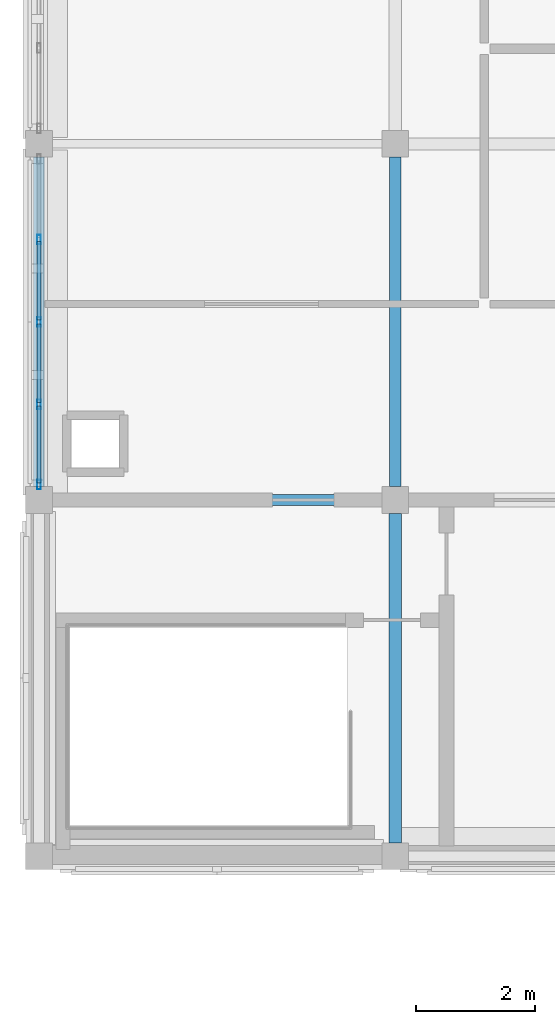
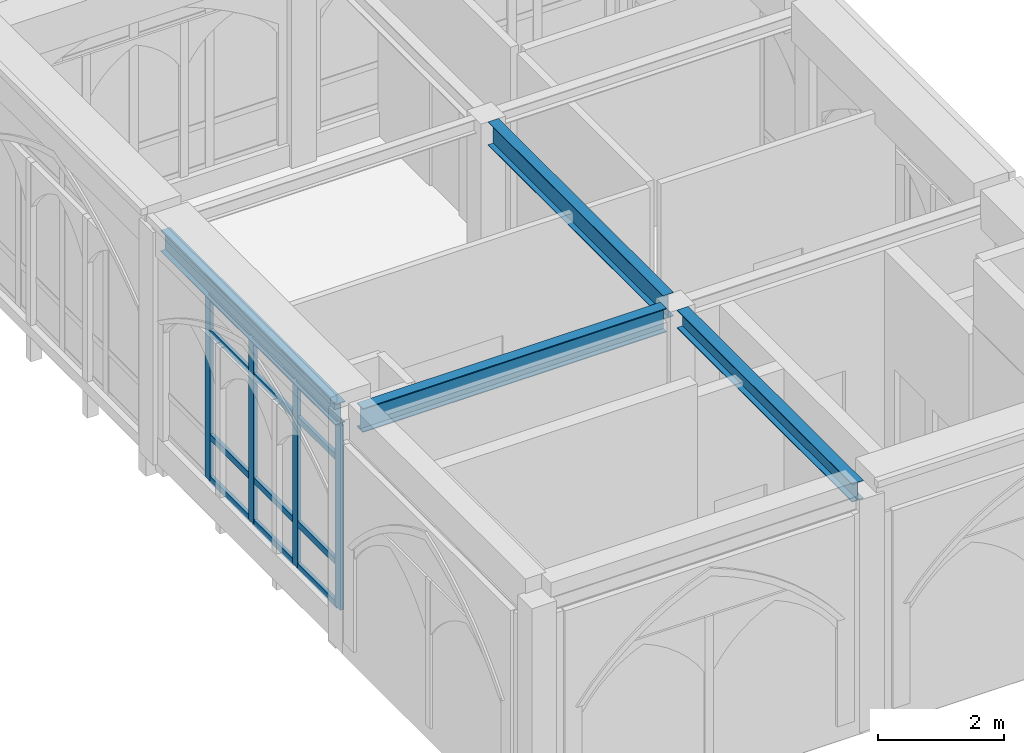
# One storey, part 6 of 59: 16 members, 4 beams, 1 element without a shape of its own.
"""IFC4 building model written with IfcOpenShell, lengths in metres."""

from ifc_helpers import new_model, si_unit, direction, frame, origin, origin_2d, place, context, subcontext, project, spatial, hollow_rectangle, i_section, extrude, material, layer, layer_set, material_profile, profile_set, type_object, element, aggregate, save


model = new_model("IFC4")

# Units and contexts
model_context = context("Model", 3, precision=1e-05, world=origin(), true_north=direction((0.0, 1.0)))
body_context = subcontext(model_context, "Body", "Model", "MODEL_VIEW")
ifc_project = project(units=[si_unit("LENGTHUNIT", "METRE"), si_unit("AREAUNIT", "SQUARE_METRE"), si_unit("VOLUMEUNIT", "CUBIC_METRE"), si_unit("PLANEANGLEUNIT", "RADIAN"), si_unit("MASSUNIT", "GRAM", prefix="KILO")], contexts=[model_context])

# Site, building, storey
site_placement = place(None, origin())
site = spatial("IfcSite", under=ifc_project, at=site_placement, CompositionType="ELEMENT")
building_placement = place(site_placement, origin())
building = spatial("IfcBuilding", under=site, at=building_placement, Name="Cumevento Cable Car Station", CompositionType="ELEMENT")
storey_placement = place(building_placement, frame((0.0, 0.0, 18.0)))
storey = spatial("IfcBuildingStorey", under=building, at=storey_placement, Name="L05", CompositionType="ELEMENT", Elevation=18.0)

# Curtain wall, members
ifc_material_1 = material(Name="Anodised Bronze Aluminium AW-6063-T6", Category="aluminium")
ifc_layer = layer(ifc_material_1, 0.201904296875)
ifc_layer_set = layer_set([ifc_layer], Name="Anodised Bronze Aluminium AW-6063-T6")
curtain_wall_type = type_object("IfcCurtainWallType", Name="Lancet Curtain Wall CW-08 1330", PredefinedType="NOTDEFINED", material=ifc_layer_set)
curtain_wall_placement = place(storey_placement, origin())
curtain_wall = element("IfcCurtainWall", 1, at=curtain_wall_placement, inside=storey, type_object=curtain_wall_type, Name="Lancet Curtain Wall CW-08 L05 #199", PredefinedType="NOTDEFINED")
ifc_material_2 = material(Name="Anodised Bronze Aluminium AW-6063-T6", Category="aluminium")
ifc_material_profile_1 = material_profile(ifc_material_2, hollow_rectangle(XDim=0.06494140625, YDim=0.159912109375, WallThickness=0.00390625, at=origin_2d()), Name="ALUM65x160x4")
ifc_profile_set_1 = profile_set([ifc_material_profile_1], Name="Anodised Bronze Aluminium AW-6063-T6")
member_type_1 = type_object("IfcMemberType", Name="Curtain Mullion CWM-01 ALUM65x160x4", PredefinedType="MULLION", material=ifc_profile_set_1)
member_1_placement = place(storey_placement, frame((10.0, 33.257568359375, 0.52001953125), z_axis=(0.0, 0.0, 1.0), x_axis=(-1.0, 0.0, 0.0)))
member_1 = element("IfcMember", 2, at=member_1_placement, type_object=member_type_1, Name="CW-08 mullion 1", PredefinedType="MULLION", context=body_context, shape_type="SweptSolid", body=[
    extrude(hollow_rectangle(XDim=0.06494140625, YDim=0.159912109375, WallThickness=0.00390625, at=origin_2d()), origin(), (0.0, 0.0, 1.0), 3.572998046875),
])
member_2_placement = place(storey_placement, frame((10.0, 34.612548828125, 0.52001953125), z_axis=(0.0, 0.0, 1.0), x_axis=(-1.0, 0.0, 0.0)))
member_2 = element("IfcMember", 3, at=member_2_placement, type_object=member_type_1, Name="CW-08 mullion 2", PredefinedType="MULLION", context=body_context, shape_type="SweptSolid", body=[
    extrude(hollow_rectangle(XDim=0.06494140625, YDim=0.159912109375, WallThickness=0.00390625, at=origin_2d()), origin(), (0.0, 0.0, 1.0), 3.572998046875),
])
member_3_placement = place(storey_placement, frame((10.0, 36.0, 0.52001953125), z_axis=(0.0, 0.0, 1.0), x_axis=(-1.0, 0.0, 0.0)))
member_3 = element("IfcMember", 4, at=member_3_placement, type_object=member_type_1, Name="CW-08 mullion 3", PredefinedType="MULLION", context=body_context, shape_type="SweptSolid", body=[
    extrude(hollow_rectangle(XDim=0.06494140625, YDim=0.159912109375, WallThickness=0.00390625, at=origin_2d()), origin(), (0.0, 0.0, 1.0), 3.572998046875),
])
member_4_placement = place(storey_placement, frame((10.0, 37.387451171875, 0.52001953125), z_axis=(0.0, 0.0, 1.0), x_axis=(-1.0, 0.0, 0.0)))
member_4 = element("IfcMember", 5, at=member_4_placement, type_object=member_type_1, Name="CW-08 mullion 4", PredefinedType="MULLION", context=body_context, shape_type="SweptSolid", body=[
    extrude(hollow_rectangle(XDim=0.06494140625, YDim=0.159912109375, WallThickness=0.00390625, at=origin_2d()), origin(), (0.0, 0.0, 1.0), 3.572998046875),
])
ifc_material_3 = material(Name="Anodised Bronze Aluminium AW-6063-T6", Category="aluminium")
ifc_material_profile_2 = material_profile(ifc_material_3, hollow_rectangle(XDim=0.06494140625, YDim=0.1201171875, WallThickness=0.00390625, at=origin_2d()), Name="ALUT65x120x4")
ifc_profile_set_2 = profile_set([ifc_material_profile_2], Name="Anodised Bronze Aluminium AW-6063-T6")
member_type_2 = type_object("IfcMemberType", Name="Curtain Transom CWT-01 ALUT65x120x4", PredefinedType="USERDEFINED", material=ifc_profile_set_2)
member_5_placement = place(storey_placement, frame((10.0, 33.2900390625, 0.552490234375), z_axis=(0.0, 1.0, 0.0), x_axis=(-1.0, 0.0, 0.0)))
member_5 = element("IfcMember", 6, at=member_5_placement, type_object=member_type_2, Name="CW-08 transom 1.1", ObjectType="TRANSOM", PredefinedType="USERDEFINED", context=body_context, shape_type="SweptSolid", body=[
    extrude(hollow_rectangle(XDim=0.06494140625, YDim=0.1201171875, WallThickness=0.00390625, at=origin_2d()), origin(), (0.0, 0.0, 1.0), 1.2900390625),
])
member_6_placement = place(storey_placement, frame((10.0, 33.2900390625, 1.3701171875), z_axis=(0.0, 1.0, 0.0), x_axis=(-1.0, 0.0, 0.0)))
member_6 = element("IfcMember", 7, at=member_6_placement, type_object=member_type_2, Name="CW-08 transom 1.2", ObjectType="TRANSOM", PredefinedType="USERDEFINED", context=body_context, shape_type="SweptSolid", body=[
    extrude(hollow_rectangle(XDim=0.06494140625, YDim=0.1201171875, WallThickness=0.00390625, at=origin_2d()), origin(), (0.0, 0.0, 1.0), 1.2900390625),
])
member_7_placement = place(storey_placement, frame((10.0, 33.2900390625, 3.39306640625), z_axis=(0.0, 1.0, 0.0), x_axis=(-1.0, 0.0, 0.0)))
member_7 = element("IfcMember", 8, at=member_7_placement, type_object=member_type_2, Name="CW-08 transom 1.3", ObjectType="TRANSOM", PredefinedType="USERDEFINED", context=body_context, shape_type="SweptSolid", body=[
    extrude(hollow_rectangle(XDim=0.06494140625, YDim=0.1201171875, WallThickness=0.00390625, at=origin_2d()), origin(), (0.0, 0.0, 1.0), 1.2900390625),
])
member_8_placement = place(storey_placement, frame((10.0, 33.2900390625, 4.060546875), z_axis=(0.0, 1.0, 0.0), x_axis=(-1.0, 0.0, 0.0)))
member_8 = element("IfcMember", 9, at=member_8_placement, type_object=member_type_2, Name="CW-08 transom 1.4", ObjectType="TRANSOM", PredefinedType="USERDEFINED", context=body_context, shape_type="SweptSolid", body=[
    extrude(hollow_rectangle(XDim=0.06494140625, YDim=0.1201171875, WallThickness=0.00390625, at=origin_2d()), origin(), (0.0, 0.0, 1.0), 1.2900390625),
])
member_9_placement = place(storey_placement, frame((10.0, 34.64501953125, 0.552490234375), z_axis=(0.0, 1.0, 0.0), x_axis=(-1.0, 0.0, 0.0)))
member_9 = element("IfcMember", 10, at=member_9_placement, type_object=member_type_2, Name="CW-08 transom 2.1", ObjectType="TRANSOM", PredefinedType="USERDEFINED", context=body_context, shape_type="SweptSolid", body=[
    extrude(hollow_rectangle(XDim=0.06494140625, YDim=0.1201171875, WallThickness=0.00390625, at=origin_2d()), origin(), (0.0, 0.0, 1.0), 1.322509765625),
])
member_10_placement = place(storey_placement, frame((10.0, 34.64501953125, 1.3701171875), z_axis=(0.0, 1.0, 0.0), x_axis=(-1.0, 0.0, 0.0)))
member_10 = element("IfcMember", 11, at=member_10_placement, type_object=member_type_2, Name="CW-08 transom 2.2", ObjectType="TRANSOM", PredefinedType="USERDEFINED", context=body_context, shape_type="SweptSolid", body=[
    extrude(hollow_rectangle(XDim=0.06494140625, YDim=0.1201171875, WallThickness=0.00390625, at=origin_2d()), origin(), (0.0, 0.0, 1.0), 1.322509765625),
])
member_11_placement = place(storey_placement, frame((10.0, 34.64501953125, 3.39306640625), z_axis=(0.0, 1.0, 0.0), x_axis=(-1.0, 0.0, 0.0)))
member_11 = element("IfcMember", 12, at=member_11_placement, type_object=member_type_2, Name="CW-08 transom 2.3", ObjectType="TRANSOM", PredefinedType="USERDEFINED", context=body_context, shape_type="SweptSolid", body=[
    extrude(hollow_rectangle(XDim=0.06494140625, YDim=0.1201171875, WallThickness=0.00390625, at=origin_2d()), origin(), (0.0, 0.0, 1.0), 1.322509765625),
])
member_12_placement = place(storey_placement, frame((10.0, 34.64501953125, 4.060546875), z_axis=(0.0, 1.0, 0.0), x_axis=(-1.0, 0.0, 0.0)))
member_12 = element("IfcMember", 13, at=member_12_placement, type_object=member_type_2, Name="CW-08 transom 2.4", ObjectType="TRANSOM", PredefinedType="USERDEFINED", context=body_context, shape_type="SweptSolid", body=[
    extrude(hollow_rectangle(XDim=0.06494140625, YDim=0.1201171875, WallThickness=0.00390625, at=origin_2d()), origin(), (0.0, 0.0, 1.0), 1.322509765625),
])
member_13_placement = place(storey_placement, frame((10.0, 36.032470703125, 0.552490234375), z_axis=(0.0, 1.0, 0.0), x_axis=(-1.0, 0.0, 0.0)))
member_13 = element("IfcMember", 14, at=member_13_placement, type_object=member_type_2, Name="CW-08 transom 3.1", ObjectType="TRANSOM", PredefinedType="USERDEFINED", context=body_context, shape_type="SweptSolid", body=[
    extrude(hollow_rectangle(XDim=0.06494140625, YDim=0.1201171875, WallThickness=0.00390625, at=origin_2d()), origin(), (0.0, 0.0, 1.0), 1.322509765625),
])
member_14_placement = place(storey_placement, frame((10.0, 36.032470703125, 1.3701171875), z_axis=(0.0, 1.0, 0.0), x_axis=(-1.0, 0.0, 0.0)))
member_14 = element("IfcMember", 15, at=member_14_placement, type_object=member_type_2, Name="CW-08 transom 3.2", ObjectType="TRANSOM", PredefinedType="USERDEFINED", context=body_context, shape_type="SweptSolid", body=[
    extrude(hollow_rectangle(XDim=0.06494140625, YDim=0.1201171875, WallThickness=0.00390625, at=origin_2d()), origin(), (0.0, 0.0, 1.0), 1.322509765625),
])
member_15_placement = place(storey_placement, frame((10.0, 36.032470703125, 3.39306640625), z_axis=(0.0, 1.0, 0.0), x_axis=(-1.0, 0.0, 0.0)))
member_15 = element("IfcMember", 16, at=member_15_placement, type_object=member_type_2, Name="CW-08 transom 3.3", ObjectType="TRANSOM", PredefinedType="USERDEFINED", context=body_context, shape_type="SweptSolid", body=[
    extrude(hollow_rectangle(XDim=0.06494140625, YDim=0.1201171875, WallThickness=0.00390625, at=origin_2d()), origin(), (0.0, 0.0, 1.0), 1.322509765625),
])
member_16_placement = place(storey_placement, frame((10.0, 36.032470703125, 4.060546875), z_axis=(0.0, 1.0, 0.0), x_axis=(-1.0, 0.0, 0.0)))
member_16 = element("IfcMember", 17, at=member_16_placement, type_object=member_type_2, Name="CW-08 transom 3.4", ObjectType="TRANSOM", PredefinedType="USERDEFINED", context=body_context, shape_type="SweptSolid", body=[
    extrude(hollow_rectangle(XDim=0.06494140625, YDim=0.1201171875, WallThickness=0.00390625, at=origin_2d()), origin(), (0.0, 0.0, 1.0), 1.322509765625),
])
aggregate(curtain_wall, [member_1, member_2, member_3, member_4, member_5, member_6, member_7, member_8, member_9, member_10, member_11, member_12, member_13, member_14, member_15, member_16])

# Beams
ifc_material_4 = material(Name="Steel ASTM A572 Grade 50", Category="steel")
ifc_material_profile_3 = material_profile(ifc_material_4, i_section(OverallWidth=0.18994140625, OverallDepth=0.45703125, WebThickness=0.009033203125, FlangeThickness=0.014404296875, at=origin_2d()), Name="W460x74.0")
ifc_profile_set_3 = profile_set([ifc_material_profile_3], Name="Steel ASTM A572 Grade 50")
beam_type_1 = type_object("IfcBeamType", Name="Structural Beam BM-04 W460x74.0", PredefinedType="BEAM", material=ifc_profile_set_3)
beam_1_placement = place(storey_placement, frame((16.0, 33.22509765625, 4.271484375), z_axis=(0.0, 1.0, 0.0), x_axis=(-1.0, 0.0, 0.0)))
element("IfcBeam", 18, at=beam_1_placement, inside=storey, type_object=beam_type_1, Name="Beam BM-04 L05 #1586", PredefinedType="BEAM", context=body_context, shape_type="SweptSolid", body=[
    extrude(i_section(OverallWidth=0.18994140625, OverallDepth=0.45703125, WebThickness=0.009033203125, FlangeThickness=0.014404296875, at=origin_2d()), origin(), (0.0, 0.0, 1.0), 5.5498046875),
])
ifc_material_5 = material(Name="Steel ASTM A572 Grade 50", Category="steel")
ifc_material_profile_4 = material_profile(ifc_material_5, i_section(OverallWidth=0.205078125, OverallDepth=0.35400390625, WebThickness=0.009521484375, FlangeThickness=0.016845703125, at=origin_2d()), Name="W360x79.0")
ifc_profile_set_4 = profile_set([ifc_material_profile_4], Name="Steel ASTM A572 Grade 50")
beam_type_2 = type_object("IfcBeamType", Name="Structural Beam BM-05 W360x79.0", PredefinedType="BEAM", material=ifc_profile_set_4)
beam_2_placement = place(storey_placement, frame((16.0, 27.22509765625, 4.322998046875), z_axis=(0.0, 1.0, 0.0), x_axis=(-1.0, 0.0, 0.0)))
element("IfcBeam", 19, at=beam_2_placement, inside=storey, type_object=beam_type_2, Name="Beam BM-05 L05 #1578", PredefinedType="BEAM", context=body_context, shape_type="SweptSolid", body=[
    extrude(i_section(OverallWidth=0.205078125, OverallDepth=0.35400390625, WebThickness=0.009521484375, FlangeThickness=0.016845703125, at=origin_2d()), origin(), (0.0, 0.0, 1.0), 5.5498046875),
])
ifc_material_6 = material(Name="Steel ASTM A572 Grade 50", Category="steel")
ifc_material_profile_5 = material_profile(ifc_material_6, i_section(OverallWidth=0.19189453125, OverallDepth=0.462890625, WebThickness=0.010498046875, FlangeThickness=0.017578125, at=origin_2d()), Name="W460x89.0")
ifc_profile_set_5 = profile_set([ifc_material_profile_5], Name="Steel ASTM A572 Grade 50")
beam_type_3 = type_object("IfcBeamType", Name="Structural Beam BM-10 W460x89.0", PredefinedType="BEAM", material=ifc_profile_set_5)
beam_3_placement = place(storey_placement, frame((10.22509765625, 33.0, 4.2685546875), z_axis=(1.0, 0.0, 0.0), x_axis=(0.0, 1.0, 0.0)))
element("IfcBeam", 20, at=beam_3_placement, inside=storey, type_object=beam_type_3, Name="Beam BM-10 L05 #1575", PredefinedType="BEAM", context=body_context, shape_type="SweptSolid", body=[
    extrude(i_section(OverallWidth=0.19189453125, OverallDepth=0.462890625, WebThickness=0.010498046875, FlangeThickness=0.017578125, at=origin_2d()), origin(), (0.0, 0.0, 1.0), 5.5498046875),
])
ifc_material_7 = material(Name="Steel ASTM A572 Grade 50", Category="steel")
ifc_material_profile_6 = material_profile(ifc_material_7, i_section(OverallWidth=0.177978515625, OverallDepth=0.406982421875, WebThickness=0.0078125, FlangeThickness=0.0126953125, at=origin_2d()), Name="W410x60.0")
ifc_profile_set_6 = profile_set([ifc_material_profile_6], Name="Steel ASTM A572 Grade 50")
beam_type_4 = type_object("IfcBeamType", Name="Structural Spandrel SP-01 W410x60.0", PredefinedType="SPANDREL", material=ifc_profile_set_6)
beam_4_placement = place(storey_placement, frame((10.0, 33.22509765625, 4.29638671875), z_axis=(0.0, 1.0, 0.0), x_axis=(-1.0, 0.0, 0.0)))
element("IfcBeam", 21, at=beam_4_placement, inside=storey, type_object=beam_type_4, Name="Beam SP-01 L05 #1584", PredefinedType="SPANDREL", context=body_context, shape_type="SweptSolid", body=[
    extrude(i_section(OverallWidth=0.177978515625, OverallDepth=0.406982421875, WebThickness=0.0078125, FlangeThickness=0.0126953125, at=origin_2d()), origin(), (0.0, 0.0, 1.0), 5.5498046875),
])

save(model, "model.ifc")
